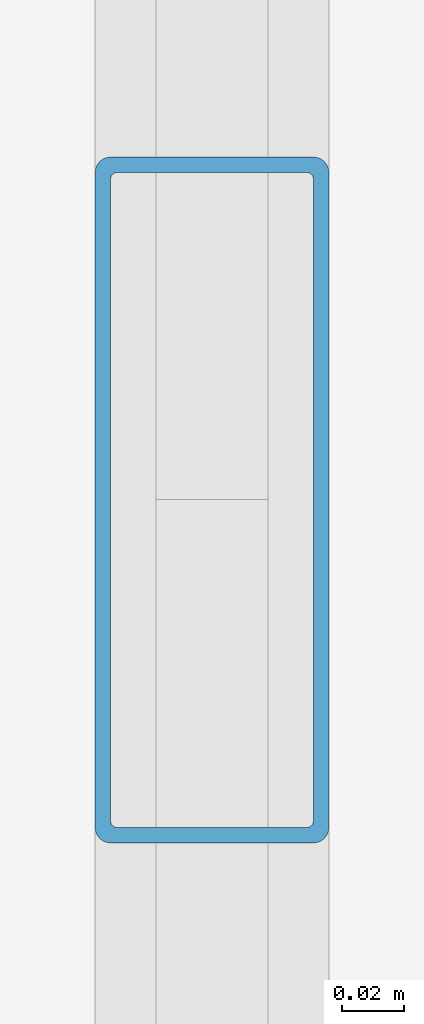
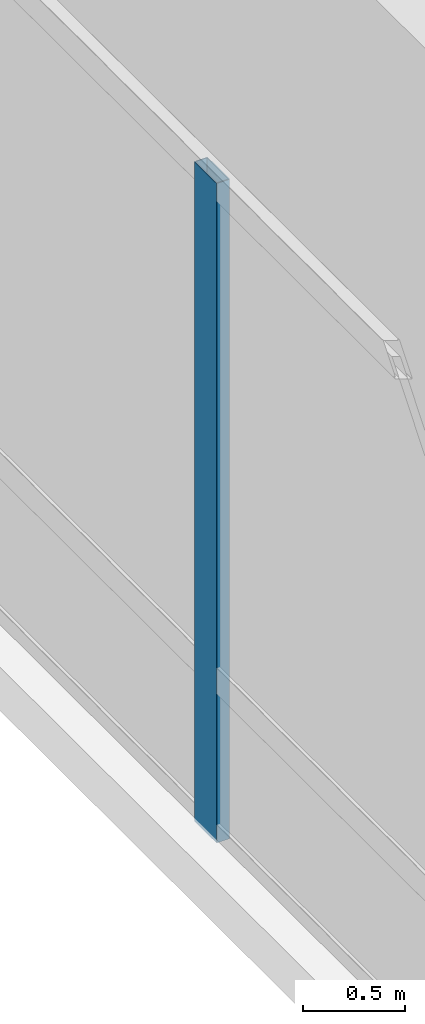
# One storey, part 7 of 20: 1 member, 1 element without a shape of its own.
"""IFC4 building model written with IfcOpenShell, lengths in metres."""

from ifc_helpers import new_model, si_unit, direction, frame, origin, origin_2d, place, context, subcontext, project, spatial, hollow_rectangle, extrude, material, material_profile, profile_set, type_object, element, aggregate, save


model = new_model("IFC4")

# Units and contexts
model_context = context("Model", 3, precision=1e-05, world=origin(), true_north=direction((0.0, 1.0)))
body_context = subcontext(model_context, "Body", "Model", "MODEL_VIEW")
ifc_project = project(units=[si_unit("LENGTHUNIT", "METRE"), si_unit("AREAUNIT", "SQUARE_METRE"), si_unit("VOLUMEUNIT", "CUBIC_METRE"), si_unit("PLANEANGLEUNIT", "RADIAN"), si_unit("MASSUNIT", "GRAM", prefix="KILO")], contexts=[model_context])

# Site, building, storey
site_placement = place(None, origin())
site = spatial("IfcSite", under=ifc_project, at=site_placement, CompositionType="ELEMENT")
building_placement = place(site_placement, origin())
building = spatial("IfcBuilding", under=site, at=building_placement, Name="Noeulbin Bourse Tower", CompositionType="ELEMENT")
storey_placement = place(building_placement, frame((0.0, 0.0, 312.60009765625)))
storey = spatial("IfcBuildingStorey", under=building, at=storey_placement, Name="L77", CompositionType="ELEMENT", Elevation=312.60009765625)

# Curtain wall, member
ifc_material_1 = material(Name="High-Selectivity Low-Iron Glazing", Category="glass")
curtain_wall_type = type_object("IfcCurtainWallType", Name="CW-SYS-4", PredefinedType="NOTDEFINED", material=ifc_material_1)
curtain_wall_placement = place(storey_placement, origin())
curtain_wall = element("IfcCurtainWall", 1, at=curtain_wall_placement, inside=storey, type_object=curtain_wall_type, Name="Unitised Curtain Wall CW-L77-W", PredefinedType="NOTDEFINED")
ifc_material_2 = material(Name="Anodised Aluminium 6063-T6", Category="aluminium")
ifc_material_profile = material_profile(ifc_material_2, hollow_rectangle(XDim=0.074951171875, YDim=0.219970703125, WallThickness=0.0048828125, InnerFilletRadius=0.00244140625, OuterFilletRadius=0.0048828125, at=origin_2d()), Name="ALU-MULL-75x220x5", Category="LoadBearing")
ifc_profile_set = profile_set([ifc_material_profile], Name="Anodised Aluminium 6063-T6")
member_type = type_object("IfcMemberType", Name="CW-SYS-4-MUL", PredefinedType="MULLION", material=ifc_profile_set)
member_placement = place(storey_placement, frame((12.219970703125, 33.02392578125, -0.02001953125), z_axis=(0.0, 0.0, 1.0), x_axis=(1.0, 0.0, 0.0)))
member = element("IfcMember", 2, at=member_placement, type_object=member_type, Name="Curtain Wall Mullion CW-L77-W-M03", PredefinedType="MULLION", context=body_context, shape_type="SweptSolid", body=[
    extrude(hollow_rectangle(XDim=0.074951171875, YDim=0.219970703125, WallThickness=0.0048828125, InnerFilletRadius=0.00244140625, OuterFilletRadius=0.0048828125, at=origin_2d()), origin(), (0.0, 0.0, 1.0), 3.949951171875),
])
aggregate(curtain_wall, [member])

save(model, "model.ifc")
